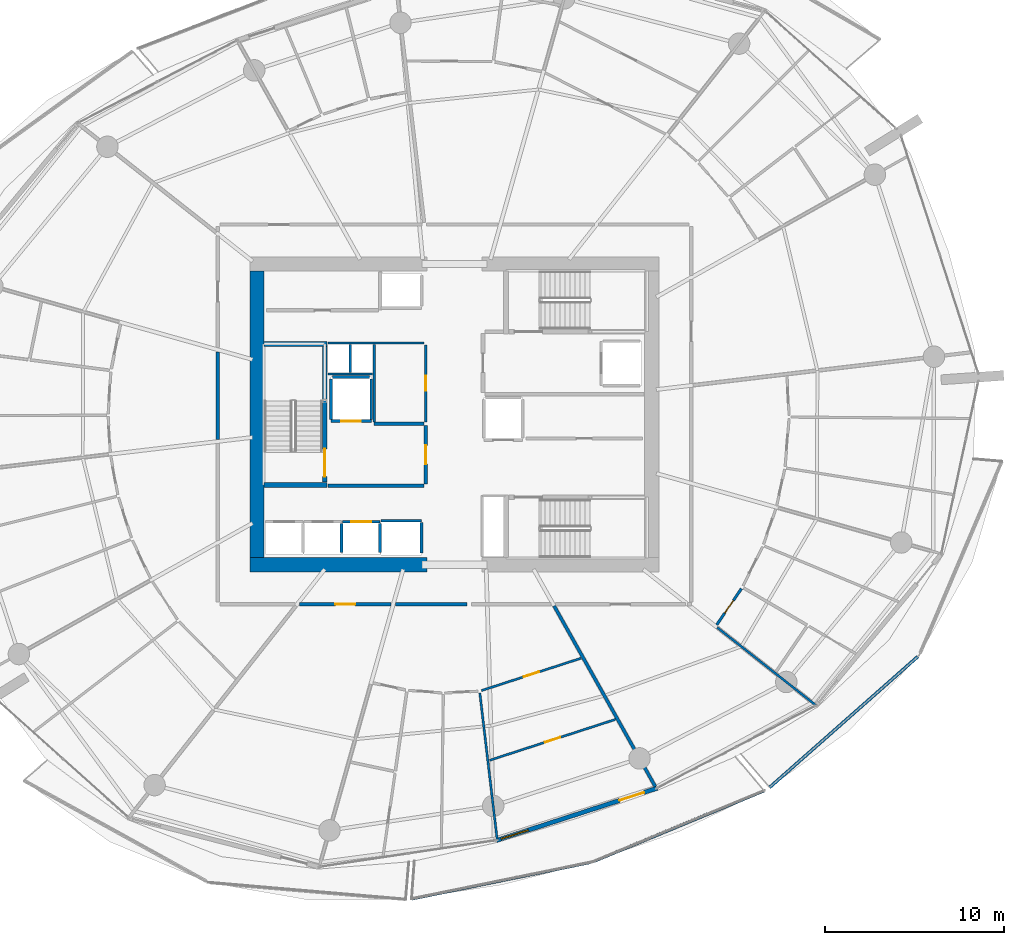
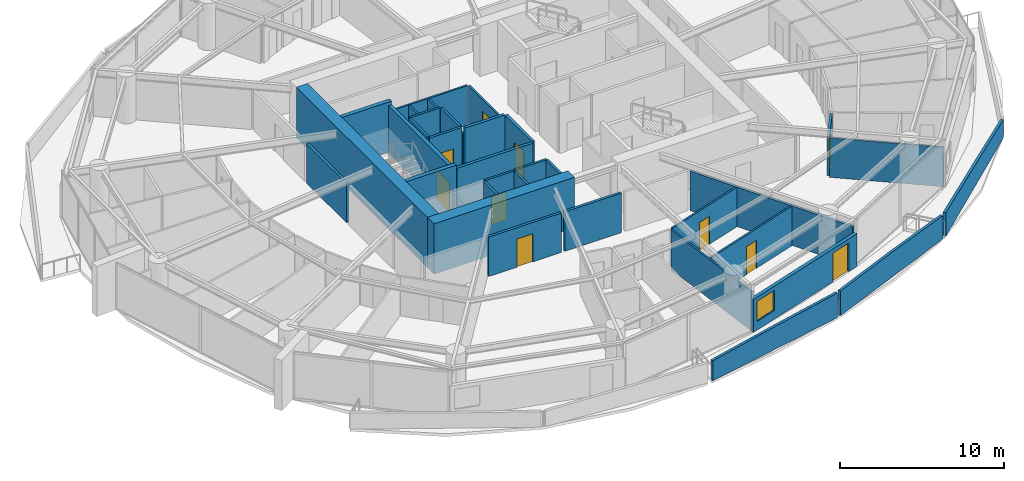
# One storey, part 12 of 23: 35 walls, 10 doors, 1 window, 11 openings.
"""IFC4 building model written with IfcOpenShell, lengths in metres."""

import ifcopenshell
import ifcopenshell.guid

model = None  # the IFC model being written
_history = None  # IfcOwnerHistory: only IFC2X3 demands one
_inside = {}  # id of a spatial element -> (the spatial element, [elements in it])
_under = {}  # id of a project, library or spatial element -> (it, [spatial elements below it])
_declared = {}  # id of a project -> (the project, [libraries it declares])
_typed = {}  # id of a type object -> (the type object, [elements of that type])
_made_of = {}  # id of a material, layer set ... -> (it, [elements and type objects made of it])


def new_model(schema):
    """Start an empty IFC model of exactly this schema.

    Asked for "IFC4X3", IfcOpenShell would pick the latest addendum, in which some entities
    have other attributes; the version numbers below select the first issue.
    IFC2X3 requires an IfcOwnerHistory on every rooted entity: one is made here for all.
    """
    global model, _history
    if schema == "IFC4X3":
        model = ifcopenshell.file(schema_version=(4, 3, 0, 0))
    else:
        model = ifcopenshell.file(schema=schema)
    _inside.clear()
    _under.clear()
    _declared.clear()
    _typed.clear()
    _made_of.clear()
    _history = None
    if model.schema == "IFC2X3":
        org = make("IfcOrganization", Name="unknown")
        user = make(
            "IfcPersonAndOrganization",
            ThePerson=make("IfcPerson", FamilyName="unknown"),
            TheOrganization=org,
        )
        app = make(
            "IfcApplication",
            ApplicationDeveloper=org,
            Version="unknown",
            ApplicationFullName="unknown",
            ApplicationIdentifier="unknown",
        )
        _history = make(
            "IfcOwnerHistory",
            OwningUser=user,
            OwningApplication=app,
            ChangeAction="ADDED",
            CreationDate=0,
        )
    return model


def make(cls, **values):
    """One entity of the class cls with the attributes given. An attribute that is None is left unset."""
    return model.create_entity(
        cls, **{name: value for name, value in values.items() if value is not None}
    )


def rooted(cls, **values):
    """An entity with a GlobalId (a new one), such as an element, a storey or a relation."""
    return make(cls, GlobalId=ifcopenshell.guid.new(), OwnerHistory=_history, **values)


def si_unit(unit_type, name, prefix=None):
    """IfcSIUnit, for example si_unit("LENGTHUNIT", "METRE", prefix="MILLI")."""
    return make("IfcSIUnit", UnitType=unit_type, Prefix=prefix, Name=name)


def assignment(units):
    """IfcUnitAssignment: the units of a project."""
    return None if units is None else make("IfcUnitAssignment", Units=units)


def point(xyz):
    """IfcCartesianPoint."""
    return None if xyz is None else make("IfcCartesianPoint", Coordinates=xyz)


def direction(xyz):
    """IfcDirection."""
    return None if xyz is None else make("IfcDirection", DirectionRatios=xyz)


def frame(location, z_axis=None, x_axis=None):
    """IfcAxis2Placement3D, a coordinate frame: its origin and axes. An axis left out is left unset."""
    return make(
        "IfcAxis2Placement3D",
        Location=point(location),
        Axis=direction(z_axis),
        RefDirection=direction(x_axis),
    )


def frame_2d(location, x_axis=None):
    """IfcAxis2Placement2D, a coordinate frame in the plane: its origin and x axis."""
    return make(
        "IfcAxis2Placement2D", Location=point(location), RefDirection=direction(x_axis)
    )


def origin():
    """The frame at (0, 0, 0) with its axes left unset."""
    return frame((0.0, 0.0, 0.0))


def place(relative_to, where):
    """IfcLocalPlacement: puts the frame where relative to a parent placement (None: the world)."""
    return make(
        "IfcLocalPlacement", PlacementRelTo=relative_to, RelativePlacement=where
    )


def context(
    kind, dimensions, precision=None, world=None, true_north=None, identifier=None
):
    """IfcGeometricRepresentationContext, for example the 3D "Model" context."""
    return make(
        "IfcGeometricRepresentationContext",
        ContextIdentifier=identifier,
        ContextType=kind,
        CoordinateSpaceDimension=dimensions,
        Precision=precision,
        WorldCoordinateSystem=world,
        TrueNorth=true_north,
    )


def subcontext(parent, identifier, kind, view, scale=None):
    """IfcGeometricRepresentationSubContext, for example "Body" below "Model"."""
    return make(
        "IfcGeometricRepresentationSubContext",
        ContextIdentifier=identifier,
        ContextType=kind,
        ParentContext=parent,
        TargetScale=scale,
        TargetView=view,
    )


def project(units=None, contexts=None):
    """IfcProject with its units and contexts."""
    return rooted(
        "IfcProject",
        Name="project",
        RepresentationContexts=contexts,
        UnitsInContext=assignment(units),
    )


def spatial(cls, under=None, at=None, **own):
    """A site, building, storey or space (cls), placed at a placement, below another one or the project."""
    s = rooted(cls, ObjectPlacement=at, **own)
    if under is not None:
        _under.setdefault(under.id(), (under, []))[1].append(s)
    return s


def polyline(points):
    """IfcPolyline through the points."""
    return make("IfcPolyline", Points=[point(p) for p in points])


def profile(cls, at=None, kind="AREA", **sizes):
    """A parametric profile (cls). Its sizes go by their IFC names, for example OverallWidth=200.0."""
    return make(cls, ProfileType=kind, Position=at, **sizes)


def rectangle(**sizes):
    """IfcRectangleProfileDef."""
    return profile("IfcRectangleProfileDef", **sizes)


def outline(outer, holes=None, kind="AREA"):
    """IfcArbitraryClosedProfileDef: a profile drawn as a closed curve; with holes, ...WithVoids."""
    if holes is None:
        return make("IfcArbitraryClosedProfileDef", ProfileType=kind, OuterCurve=outer)
    return make(
        "IfcArbitraryProfileDefWithVoids",
        ProfileType=kind,
        OuterCurve=outer,
        InnerCurves=holes,
    )


def extrude(swept, where, along, depth):
    """IfcExtrudedAreaSolid: the profile swept, set in the frame where, extruded along a direction by depth."""
    return make(
        "IfcExtrudedAreaSolid",
        SweptArea=swept,
        Position=where,
        ExtrudedDirection=direction(along),
        Depth=depth,
    )


def shape(context_of_items, identifier, shape_type, items):
    """IfcShapeRepresentation: the items that make up one representation, for example the "Body"."""
    return make(
        "IfcShapeRepresentation",
        ContextOfItems=context_of_items,
        RepresentationIdentifier=identifier,
        RepresentationType=shape_type,
        Items=items,
    )


def material(Name=None, Category=None):
    """IfcMaterial."""
    return make("IfcMaterial", Name=Name, Category=Category)


def layer(
    of_material, thickness, ventilated=None, Name=None, Category=None, Priority=None
):
    """IfcMaterialLayer: one layer of a wall or slab, of a material (None: an air gap)."""
    return make(
        "IfcMaterialLayer",
        Material=of_material,
        LayerThickness=thickness,
        IsVentilated=ventilated,
        Name=Name,
        Category=Category,
        Priority=Priority,
    )


def layer_set(layers, Name=None):
    """IfcMaterialLayerSet."""
    return make("IfcMaterialLayerSet", MaterialLayers=layers, LayerSetName=Name)


def made_of(thing, what):
    """Note that an element or type object is made of a material, layer set ...; save() writes the relation."""
    if what is not None:
        _made_of.setdefault(what.id(), (what, []))[1].append(thing)
    return thing


def type_object(cls, material=None, **own):
    """A type object (cls), such as IfcWallType, which elements share."""
    return made_of(rooted(cls, **own), material)


def element(
    cls,
    number,
    at=None,
    inside=None,
    cuts=None,
    type_object=None,
    material=None,
    context=None,
    identifier="Body",
    shape_type=None,
    held_by="IfcProductDefinitionShape",
    body=None,
    shapes=None,
    **own,
):
    """One element of the class cls, such as IfcWall. Its Tag is "e" and its number.

    at: its placement. inside: the storey or other place that contains it. cuts: it is an
    opening in that element (IfcRelVoidsElement). A single representation is given by context,
    identifier, shape_type and body (its items); several are given by shapes. held_by: the class
    of the entity that holds the representations. save() writes the other relations.
    """
    e = rooted(cls, Tag="e%d" % number, ObjectPlacement=at, **own)
    if body is not None:
        shapes = [shape(context, identifier, shape_type, body)]
    if shapes is not None:
        e.Representation = make(held_by, Representations=shapes)
    if inside is not None:
        _inside.setdefault(inside.id(), (inside, []))[1].append(e)
    if cuts is not None:
        rooted(
            "IfcRelVoidsElement", RelatingBuildingElement=cuts, RelatedOpeningElement=e
        )
    if type_object is not None:
        _typed.setdefault(type_object.id(), (type_object, []))[1].append(e)
    return made_of(e, material)


def fill(opening, filler):
    """IfcRelFillsElement: the door or window that sits in an opening."""
    return rooted(
        "IfcRelFillsElement",
        RelatingOpeningElement=opening,
        RelatedBuildingElement=filler,
    )


def aggregate(whole, parts):
    """IfcRelAggregates: a whole, such as a stair, and the parts it consists of."""
    return rooted("IfcRelAggregates", RelatingObject=whole, RelatedObjects=parts)


def save(model, path):
    """Write the relations noted so far, then the file.

    IfcRelAggregates (storeys below a building ...), IfcRelContainedInSpatialStructure (elements
    in a storey), IfcRelDefinesByType, IfcRelAssociatesMaterial and IfcRelDeclares: one each for
    every whole, place, type object, material and project.
    """
    for whole, parts in _under.values():
        aggregate(whole, parts)
    for where, things in _inside.values():
        rooted(
            "IfcRelContainedInSpatialStructure",
            RelatedElements=things,
            RelatingStructure=where,
        )
    for kind, things in _typed.values():
        rooted("IfcRelDefinesByType", RelatedObjects=things, RelatingType=kind)
    for what, things in _made_of.values():
        rooted("IfcRelAssociatesMaterial", RelatedObjects=things, RelatingMaterial=what)
    for by, libraries in _declared.values():
        rooted("IfcRelDeclares", RelatingContext=by, RelatedDefinitions=libraries)
    model.write(path)


model = new_model("IFC4")

# Units and contexts
model_context = context("Model", 3, precision=1e-05, world=origin(), true_north=direction((0.0, 1.0)))
body_context = subcontext(model_context, "Body", "Model", "MODEL_VIEW")
ifc_project = project(units=[si_unit("LENGTHUNIT", "METRE"), si_unit("AREAUNIT", "SQUARE_METRE"), si_unit("VOLUMEUNIT", "CUBIC_METRE"), si_unit("PLANEANGLEUNIT", "RADIAN"), si_unit("MASSUNIT", "GRAM", prefix="KILO")], contexts=[model_context])

# Site, building, storey
site_placement = place(None, origin())
site = spatial("IfcSite", under=ifc_project, at=site_placement, CompositionType="ELEMENT")
building_placement = place(site_placement, origin())
building = spatial("IfcBuilding", under=site, at=building_placement, Name="Kazma Halo Residences", CompositionType="ELEMENT")
storey_placement = place(building_placement, frame((0.0, 0.0, 101.39990234375)))
storey = spatial("IfcBuildingStorey", under=building, at=storey_placement, Name="L25", CompositionType="ELEMENT", Elevation=101.39990234375)

# Walls
ifc_material_1 = material(Name="White Concrete C50/60 Balustrade", Category="concrete")
ifc_layer_1 = layer(ifc_material_1, 0.179931640625)
ifc_layer_set_1 = layer_set([ifc_layer_1], Name="White Concrete C50/60 Balustrade")
wall_type_1 = type_object("IfcWallType", Name="WL-BAL-WAVE-180", PredefinedType="PARAPET", material=ifc_layer_set_1)
wall_1_placement = place(storey_placement, frame((46.036865234375, 14.945068359375, 0.0), z_axis=(0.0, 0.0, 1.0), x_axis=(0.979793885894, 0.200009852668, 0.0)))
element("IfcWall", 1, at=wall_1_placement, inside=storey, type_object=wall_type_1, Name="L25 white wave balustrade wall SSE.1", PredefinedType="PARAPET", context=body_context, shape_type="SweptSolid", body=[
    extrude(outline(polyline([(0.0, 0.0), (10.1728515625, 0.0), (10.1728515625, 1.83203125), (5.08642578125, 1.696044921875), (0.0, 1.4970703125), (0.0, 0.0)])), frame((0.0, 0.08984375, 0.0), z_axis=(0.0, -1.0, 0.0), x_axis=(1.0, 0.0, 0.0)), (0.0, 0.0, 1.0), 0.179931640625),
])
wall_2_placement = place(storey_placement, frame((56.232666015625, 17.0498046875, 0.0), z_axis=(0.0, 0.0, 1.0), x_axis=(0.92370541506, 0.383103518894, 0.0)))
element("IfcWall", 2, at=wall_2_placement, inside=storey, type_object=wall_type_1, Name="L25 white wave balustrade wall SSE.2", PredefinedType="PARAPET", context=body_context, shape_type="SweptSolid", body=[
    extrude(outline(polyline([(0.0, 0.0), (10.27734375, 0.0), (10.27734375, 1.756103515625), (5.138671875, 1.85302734375), (0.0, 1.83203125), (0.0, 0.0)])), frame((0.0, 0.08984375, 0.0), z_axis=(0.0, -1.0, 0.0), x_axis=(1.0, 0.0, 0.0)), (0.0, 0.0, 1.0), 0.179931640625),
])
wall_3_placement = place(storey_placement, frame((66.021728515625, 21.158203125, 0.0), z_axis=(0.0, 0.0, 1.0), x_axis=(0.749623748339, 0.661864212604, 0.0)))
element("IfcWall", 3, at=wall_3_placement, inside=storey, type_object=wall_type_1, Name="L25 white wave balustrade wall SE.1", PredefinedType="PARAPET", context=body_context, shape_type="SweptSolid", body=[
    extrude(outline(polyline([(0.0, 0.0), (11.0498046875, 0.0), (11.0498046875, 1.34814453125), (5.52490234375, 1.56201171875), (0.0, 1.7470703125), (0.0, 0.0)])), frame((0.0, 0.08984375, 0.0), z_axis=(0.0, -1.0, 0.0), x_axis=(1.0, 0.0, 0.0)), (0.0, 0.0, 1.0), 0.179931640625),
])
ifc_material_2 = material(Name="Concrete C80/95", Category="concrete")
ifc_layer_2 = layer(ifc_material_2, 0.800048828125)
ifc_layer_set_2 = layer_set([ifc_layer_2], Name="Concrete C80/95")
wall_type_2 = type_object("IfcWallType", Name="WL-CORE-800", PredefinedType="SHEAR", material=ifc_layer_set_2)
wall_4_placement = place(storey_placement, frame((37.0, 33.60009765625, 0.0), z_axis=(0.0, 0.0, 1.0), x_axis=(1.0, 0.0, 0.0)))
element("IfcWall", 4, at=wall_4_placement, inside=storey, type_object=wall_type_2, Name="L25 central core shear wall SW", PredefinedType="SHEAR", context=body_context, shape_type="SweptSolid", body=[
    extrude(rectangle(XDim=9.89990234375, YDim=0.800048828125, at=frame_2d((4.949951171875, 0.0))), origin(), (0.0, 0.0, 1.0), 3.75),
])
wall_5_placement = place(storey_placement, frame((37.39990234375, 34.0, 0.0), z_axis=(0.0, 0.0, 1.0), x_axis=(0.0, 1.0, 0.0)))
element("IfcWall", 5, at=wall_5_placement, inside=storey, type_object=wall_type_2, Name="L25 central core shear wall W", PredefinedType="SHEAR", context=body_context, shape_type="SweptSolid", body=[
    extrude(rectangle(XDim=16.0, YDim=0.800048828125, at=frame_2d((8.0, 0.0))), origin(), (0.0, 0.0, 1.0), 3.75),
])
ifc_material_3 = material(Name="Concrete C60/75", Category="concrete")
ifc_layer_3 = layer(ifc_material_3, 0.280029296875)
ifc_layer_set_3 = layer_set([ifc_layer_3], Name="Concrete C60/75")
wall_type_3 = type_object("IfcWallType", Name="WL-CORE-ST-280", PredefinedType="SHEAR", material=ifc_layer_set_3)
for number, where, z_axis, x_axis, name in (
    (6, (37.800048828125, 38.06005859375, 0.0), (0.0, 0.0, 1.0), (1.0, 0.0, 0.0), "L25 stairwell bearing wall ST01-S"),
    (7, (37.800048828125, 45.93994140625, 0.0), (0.0, 0.0, 1.0), (1.0, 0.0, 0.0), "L25 stairwell bearing wall ST01-N"),
):
    element("IfcWall", number, at=place(storey_placement, frame(where, z_axis=z_axis, x_axis=x_axis)), inside=storey, type_object=wall_type_3, Name=name, PredefinedType="SHEAR", context=body_context, shape_type="SweptSolid", body=[
        extrude(rectangle(XDim=3.5, YDim=0.280029296875, at=frame_2d((1.75, 0.0))), origin(), (0.0, 0.0, 1.0), 3.75),
    ])
ifc_material_4 = material(Name="Acoustic Twin-Stud Gypsum")
ifc_layer_4 = layer(ifc_material_4, 0.179931640625)
ifc_layer_set_4 = layer_set([ifc_layer_4], Name="Acoustic Twin-Stud Gypsum")
wall_type_4 = type_object("IfcWallType", Name="WL-DEM-180", PredefinedType="PARTITIONING", material=ifc_layer_set_4)
wall_6_placement = place(storey_placement, frame((53.989990234375, 31.303955078125, 0.0), z_axis=(0.0, 0.0, 1.0), x_axis=(0.488628442553, -0.872491974249, 0.0)))
element("IfcWall", 8, at=wall_6_placement, inside=storey, type_object=wall_type_4, Name="L25 apartment demising radial wall 12", PredefinedType="PARTITIONING", context=body_context, shape_type="SweptSolid", body=[
    extrude(rectangle(XDim=11.563232421875, YDim=0.179931640625, at=frame_2d((5.78173828125, 0.0))), origin(), (0.0, 0.0, 1.0), 2.940185546875),
])
wall_7_placement = place(storey_placement, frame((35.199951171875, 45.489990234375, 0.0), z_axis=(0.0, 0.0, 1.0), x_axis=(0.0, -1.0, 0.0)))
element("IfcWall", 9, at=wall_7_placement, inside=storey, type_object=wall_type_4, Name="L25 Apartment 1 inner wall 6", PredefinedType="PARTITIONING", context=body_context, shape_type="SweptSolid", body=[
    extrude(rectangle(XDim=4.885009765625, YDim=0.179931640625, at=frame_2d((2.4423828125, 0.0))), origin(), (0.0, 0.0, 1.0), 2.940185546875),
])

# Wall, opening, door
wall_8_placement = place(storey_placement, frame((39.763671875, 31.39990234375, 0.0), z_axis=(0.0, 0.0, 1.0), x_axis=(1.0, 0.0, 0.0)))
wall_8 = element("IfcWall", 10, at=wall_8_placement, inside=storey, type_object=wall_type_4, Name="L25 Apartment 2 entrance corridor wall", PredefinedType="PARTITIONING", context=body_context, shape_type="SweptSolid", body=[
    extrude(rectangle(XDim=5.126708984375, YDim=0.179931640625, at=frame_2d((2.5634765625, 0.0))), origin(), (0.0, 0.0, 1.0), 2.940185546875),
])
opening_1_placement = place(wall_8_placement, frame((2.013427734375, 0.0, 0.0)))
opening_1 = element("IfcOpeningElement", 11, at=opening_1_placement, cuts=wall_8, Name="Opening DA-1100", PredefinedType="OPENING", context=body_context, shape_type="SweptSolid", body=[
    extrude(rectangle(XDim=1.10009765625, YDim=2.10009765625, at=frame_2d((0.550048828125, 1.050048828125))), frame((0.0, 0.099853515625, 0.0), z_axis=(0.0, -1.0, 0.0), x_axis=(1.0, 0.0, 0.0)), (0.0, 0.0, 1.0), 0.199951171875),
])
ifc_material_5 = material(Name="Acoustic Walnut Fire Leaf")
door_type_1 = type_object("IfcDoorType", Name="DR-FD60-1100", OperationType="NOTDEFINED", PredefinedType="DOOR", material=ifc_material_5)
door_1_placement = place(opening_1_placement, origin())
door_1 = element("IfcDoor", 12, at=door_1_placement, inside=storey, type_object=door_type_1, Name="L25 Apartment 2 entrance fire door", OperationType="SINGLE_SWING_RIGHT", OverallHeight=2.10009765625, OverallWidth=1.10009765625, PredefinedType="DOOR", context=body_context, shape_type="SweptSolid", body=[
    extrude(rectangle(XDim=1.10009765625, YDim=2.10009765625, at=frame_2d((0.550048828125, 1.050048828125))), frame((0.0, 0.02490234375, 0.0), z_axis=(0.0, -1.0, 0.0), x_axis=(1.0, 0.0, 0.0)), (0.0, 0.0, 1.0), 0.050048828125),
])
fill(opening_1, door_1)

# Wall
wall_9_placement = place(storey_placement, frame((45.130615234375, 31.39990234375, 0.0), z_axis=(0.0, 0.0, 1.0), x_axis=(1.0, 0.0, 0.0)))
element("IfcWall", 13, at=wall_9_placement, inside=storey, type_object=wall_type_4, Name="L25 Apartment 2 inner wall 10", PredefinedType="PARTITIONING", context=body_context, shape_type="SweptSolid", body=[
    extrude(rectangle(XDim=4.00390625, YDim=0.179931640625, at=frame_2d((2.001953125, 0.0))), origin(), (0.0, 0.0, 1.0), 2.940185546875),
])

# Wall, openings, door, window
ifc_material_6 = material(Name="Insulated Pale-Metal Composite Wall")
ifc_layer_5 = layer(ifc_material_6, 0.239990234375)
ifc_layer_set_5 = layer_set([ifc_layer_5], Name="Insulated Pale-Metal Composite Wall")
wall_type_5 = type_object("IfcWallType", Name="WL-EXT-HOST-240", PredefinedType="SOLIDWALL", material=ifc_layer_set_5)
wall_10_placement = place(storey_placement, frame((50.76708984375, 18.202880859375, 0.0), z_axis=(0.0, 0.0, 1.0), x_axis=(0.951052494852, 0.30902937083, 0.0)))
wall_10 = element("IfcWall", 14, at=wall_10_placement, inside=storey, type_object=wall_type_5, Name="L25 exterior terrace-access wall B12", PredefinedType="SOLIDWALL", context=body_context, shape_type="SweptSolid", body=[
    extrude(rectangle(XDim=9.44384765625, YDim=0.239990234375, at=frame_2d((4.721923828125, 0.0))), origin(), (0.0, 0.0, 1.0), 2.4501953125),
])
opening_2_placement = place(wall_10_placement, frame((7.223876953125, 0.0, 0.0)))
opening_2 = element("IfcOpeningElement", 15, at=opening_2_placement, cuts=wall_10, Name="Opening DTR-1600", PredefinedType="OPENING", context=body_context, shape_type="SweptSolid", body=[
    extrude(rectangle(XDim=1.449951171875, YDim=2.14990234375, at=frame_2d((0.72509765625, 1.074951171875))), frame((0.0, 0.1298828125, 0.0), z_axis=(0.0, -1.0, 0.0), x_axis=(1.0, 0.0, 0.0)), (0.0, 0.0, 1.0), 0.260009765625),
])
opening_3_placement = place(wall_10_placement, frame((0.280029296875, 0.0, 0.64990234375)))
opening_3 = element("IfcOpeningElement", 16, at=opening_3_placement, cuts=wall_10, Name="Opening W-1800", PredefinedType="OPENING", context=body_context, shape_type="SweptSolid", body=[
    extrude(rectangle(XDim=1.60009765625, YDim=1.5, at=frame_2d((0.800048828125, 0.75))), frame((0.0, 0.1298828125, 0.0), z_axis=(0.0, -1.0, 0.0), x_axis=(1.0, 0.0, 0.0)), (0.0, 0.0, 1.0), 0.260009765625),
])
ifc_material_7 = material(Name="Aluminium AW-6063 T6 Double-Glazed Terrace Door", Category="aluminium")
door_type_2 = type_object("IfcDoorType", Name="DR-EXT-TERR-1600", OperationType="NOTDEFINED", PredefinedType="DOOR", material=ifc_material_7)
door_2_placement = place(opening_2_placement, origin())
door_2 = element("IfcDoor", 17, at=door_2_placement, inside=storey, type_object=door_type_2, Name="L25 B12 balcony terrace door", OperationType="DOUBLE_DOOR_SLIDING", OverallHeight=2.14990234375, OverallWidth=1.449951171875, PredefinedType="DOOR", context=body_context, shape_type="SweptSolid", body=[
    extrude(rectangle(XDim=1.449951171875, YDim=2.14990234375, at=frame_2d((0.72509765625, 1.074951171875))), frame((0.0, 0.02490234375, 0.0), z_axis=(0.0, -1.0, 0.0), x_axis=(1.0, 0.0, 0.0)), (0.0, 0.0, 1.0), 0.050048828125),
])
fill(opening_2, door_2)
ifc_material_8 = material(Name="Clear Triple-Silver Low-E Glass in Aluminium AW-6063 T6 Frame", Category="aluminium")
window_type = type_object("IfcWindowType", Name="WIN-RES-1800", PartitioningType="DOUBLE_PANEL_VERTICAL", PredefinedType="WINDOW", material=ifc_material_8)
window_placement = place(opening_3_placement, origin())
window = element("IfcWindow", 18, at=window_placement, inside=storey, type_object=window_type, Name="L25 B12 apartment window", OverallHeight=1.5, OverallWidth=1.60009765625, PartitioningType="SINGLE_PANEL", PredefinedType="WINDOW", context=body_context, shape_type="SweptSolid", body=[
    extrude(rectangle(XDim=1.60009765625, YDim=1.5, at=frame_2d((0.800048828125, 0.75))), frame((0.0, 0.030029296875, 0.0), z_axis=(0.0, -1.0, 0.0), x_axis=(1.0, 0.0, 0.0)), (0.0, 0.0, 1.0), 0.06005859375),
])
fill(opening_3, window)

# Wall
ifc_material_9 = material(Name="Fire-Rated Blockwork Masonry", Category="masonry")
ifc_layer_6 = layer(ifc_material_9, 0.199951171875)
ifc_layer_set_6 = layer_set([ifc_layer_6], Name="Fire-Rated Blockwork Masonry")
wall_type_6 = type_object("IfcWallType", Name="WL-FLB-200", PredefinedType="PARTITIONING", material=ifc_layer_set_6)
wall_11_placement = place(storey_placement, frame((42.125, 34.294921875, 0.0), z_axis=(0.0, 0.0, 1.0), x_axis=(0.0, 1.0, 0.0)))
element("IfcWall", 19, at=wall_11_placement, inside=storey, type_object=wall_type_6, Name="L25 lift shaft PL-02 side wall E", PredefinedType="PARTITIONING", context=body_context, shape_type="SweptSolid", body=[
    extrude(rectangle(XDim=1.610107421875, YDim=0.159912109375, at=frame_2d((0.80517578125, 0.0))), origin(), (0.0, 0.0, 1.0), 3.5),
])

# Wall, opening, door
wall_12_placement = place(storey_placement, frame((42.1650390625, 36.0048828125, 0.0), z_axis=(0.0, 0.0, 1.0), x_axis=(1.0, 0.0, 0.0)))
wall_12 = element("IfcWall", 20, at=wall_12_placement, inside=storey, type_object=wall_type_6, Name="L25 lift shaft PL-03 front wall", PredefinedType="PARTITIONING", context=body_context, shape_type="SweptSolid", body=[
    extrude(rectangle(XDim=2.10986328125, YDim=0.159912109375, at=frame_2d((1.054931640625, 0.0))), origin(), (0.0, 0.0, 1.0), 3.5),
])
opening_4_placement = place(wall_12_placement, frame((0.5048828125, 0.0, 0.0)))
opening_4 = element("IfcOpeningElement", 21, at=opening_4_placement, cuts=wall_12, Name="Opening LD-PL-03", PredefinedType="OPENING", context=body_context, shape_type="SweptSolid", body=[
    extrude(rectangle(XDim=1.10009765625, YDim=2.10009765625, at=frame_2d((0.550048828125, 1.050048828125))), frame((0.0, 0.08984375, 0.0), z_axis=(0.0, -1.0, 0.0), x_axis=(1.0, 0.0, 0.0)), (0.0, 0.0, 1.0), 0.179931640625),
])
ifc_material_10 = material(Name="Stainless Steel Fire-Rated", Category="steel")
door_type_3 = type_object("IfcDoorType", Name="DR-LIFT-SLD-1100", OperationType="DOUBLE_DOOR_SLIDING", PredefinedType="DOOR", material=ifc_material_10)
door_3_placement = place(opening_4_placement, origin())
door_3 = element("IfcDoor", 22, at=door_3_placement, inside=storey, type_object=door_type_3, Name="L25 lift PL-03 sliding landing door", OperationType="DOUBLE_DOOR_SLIDING", OverallHeight=2.10009765625, OverallWidth=1.10009765625, PredefinedType="DOOR", context=body_context, shape_type="SweptSolid", body=[
    extrude(rectangle(XDim=1.10009765625, YDim=2.10009765625, at=frame_2d((0.550048828125, 1.050048828125))), frame((0.0, 0.02490234375, 0.0), z_axis=(0.0, -1.0, 0.0), x_axis=(1.0, 0.0, 0.0)), (0.0, 0.0, 1.0), 0.050048828125),
])
fill(opening_4, door_3)

# Walls
wall_13_placement = place(storey_placement, frame((44.27490234375, 34.294921875, 0.0), z_axis=(0.0, 0.0, 1.0), x_axis=(0.0, 1.0, 0.0)))
element("IfcWall", 23, at=wall_13_placement, inside=storey, type_object=wall_type_6, Name="L25 lift shaft PL-03 side wall E", PredefinedType="PARTITIONING", context=body_context, shape_type="SweptSolid", body=[
    extrude(rectangle(XDim=1.610107421875, YDim=0.159912109375, at=frame_2d((0.80517578125, 0.0))), origin(), (0.0, 0.0, 1.0), 3.5),
])
wall_14_placement = place(storey_placement, frame((44.320068359375, 36.054931640625, 0.0), z_axis=(0.0, 0.0, 1.0), x_axis=(1.0, 0.0, 0.0)))
element("IfcWall", 24, at=wall_14_placement, inside=storey, type_object=wall_type_6, Name="L25 lift shaft PX-02 front wall", PredefinedType="PARTITIONING", context=body_context, shape_type="SweptSolid", body=[
    extrude(rectangle(XDim=2.260009765625, YDim=0.159912109375, at=frame_2d((1.1298828125, 0.0))), origin(), (0.0, 0.0, 1.0), 3.5),
])
wall_15_placement = place(storey_placement, frame((46.580078125, 34.2451171875, 0.0), z_axis=(0.0, 0.0, 1.0), x_axis=(0.0, 1.0, 0.0)))
element("IfcWall", 25, at=wall_15_placement, inside=storey, type_object=wall_type_6, Name="L25 lift shaft PX-02 side wall E", PredefinedType="PARTITIONING", context=body_context, shape_type="SweptSolid", body=[
    extrude(rectangle(XDim=1.7099609375, YDim=0.159912109375, at=frame_2d((0.85498046875, 0.0))), origin(), (0.0, 0.0, 1.0), 3.5),
])

# Wall, opening, door
wall_16_placement = place(storey_placement, frame((43.780029296875, 41.6201171875, 0.0), z_axis=(0.0, 0.0, 1.0), x_axis=(-1.0, 0.0, 0.0)))
wall_16 = element("IfcWall", 26, at=wall_16_placement, inside=storey, type_object=wall_type_6, Name="L25 lift shaft FL-01 front wall", PredefinedType="PARTITIONING", context=body_context, shape_type="SweptSolid", body=[
    extrude(rectangle(XDim=2.260009765625, YDim=0.159912109375, at=frame_2d((1.1298828125, 0.0))), origin(), (0.0, 0.0, 1.0), 3.5),
])
opening_5_placement = place(wall_16_placement, frame((0.580078125, 0.0, 0.0)))
opening_5 = element("IfcOpeningElement", 27, at=opening_5_placement, cuts=wall_16, Name="Opening LD-FL-01", PredefinedType="OPENING", context=body_context, shape_type="SweptSolid", body=[
    extrude(rectangle(XDim=1.10009765625, YDim=2.10009765625, at=frame_2d((0.550048828125, 1.050048828125))), frame((0.0, 0.08984375, 0.0), z_axis=(0.0, -1.0, 0.0), x_axis=(1.0, 0.0, 0.0)), (0.0, 0.0, 1.0), 0.179931640625),
])
door_4_placement = place(opening_5_placement, origin())
door_4 = element("IfcDoor", 28, at=door_4_placement, inside=storey, type_object=door_type_3, Name="L25 lift FL-01 sliding landing door", OperationType="DOUBLE_DOOR_SLIDING", OverallHeight=2.10009765625, OverallWidth=1.10009765625, PredefinedType="DOOR", context=body_context, shape_type="SweptSolid", body=[
    extrude(rectangle(XDim=1.10009765625, YDim=2.10009765625, at=frame_2d((0.550048828125, 1.050048828125))), frame((0.0, 0.02490234375, 0.0), z_axis=(0.0, -1.0, 0.0), x_axis=(1.0, 0.0, 0.0)), (0.0, 0.0, 1.0), 0.050048828125),
])
fill(opening_5, door_4)

# Walls
for number, where, z_axis, x_axis, name in (
    (29, (43.780029296875, 41.719970703125, 0.0), (0.0, 0.0, 1.0), (0.0, 1.0, 0.0), "L25 lift shaft FL-01 side wall E"),
    (30, (41.52001953125, 41.719970703125, 0.0), (0.0, 0.0, 1.0), (0.0, 1.0, 0.0), "L25 lift shaft FL-01 side wall W"),
):
    element("IfcWall", number, at=place(storey_placement, frame(where, z_axis=z_axis, x_axis=x_axis)), inside=storey, type_object=wall_type_6, Name=name, PredefinedType="PARTITIONING", context=body_context, shape_type="SweptSolid", body=[
        extrude(rectangle(XDim=2.260009765625, YDim=0.159912109375, at=frame_2d((1.1298828125, 0.0))), origin(), (0.0, 0.0, 1.0), 3.5),
    ])
wall_17_placement = place(storey_placement, frame((41.6201171875, 44.080078125, 0.0), z_axis=(0.0, 0.0, 1.0), x_axis=(1.0, 0.0, 0.0)))
element("IfcWall", 31, at=wall_17_placement, inside=storey, type_object=wall_type_6, Name="L25 lift shaft FL-01 side wall N", PredefinedType="PARTITIONING", context=body_context, shape_type="SweptSolid", body=[
    extrude(rectangle(XDim=2.059814453125, YDim=0.159912109375, at=frame_2d((1.02978515625, 0.0))), origin(), (0.0, 0.0, 1.0), 3.5),
])
wall_18_placement = place(storey_placement, frame((41.35009765625, 38.02001953125, 0.0), z_axis=(0.0, 0.0, 1.0), x_axis=(1.0, 0.0, 0.0)))
element("IfcWall", 32, at=wall_18_placement, inside=storey, type_object=wall_type_6, Name="L25 west firefighting lobby south smoke wall", PredefinedType="PARTITIONING", context=body_context, shape_type="SweptSolid", body=[
    extrude(rectangle(XDim=5.369873046875, YDim=0.199951171875, at=frame_2d((2.68505859375, 0.0))), origin(), (0.0, 0.0, 1.0), 3.5),
])
wall_19_placement = place(storey_placement, frame((43.919921875, 41.47998046875, 0.0), z_axis=(0.0, 0.0, 1.0), x_axis=(1.0, 0.0, 0.0)))
element("IfcWall", 33, at=wall_19_placement, inside=storey, type_object=wall_type_6, Name="L25 west firefighting lobby north smoke wall", PredefinedType="PARTITIONING", context=body_context, shape_type="SweptSolid", body=[
    extrude(rectangle(XDim=2.800048828125, YDim=0.199951171875, at=frame_2d((1.39990234375, 0.0))), origin(), (0.0, 0.0, 1.0), 3.5),
])

# Wall, opening, door
wall_20_placement = place(storey_placement, frame((46.820068359375, 38.1201171875, 0.0), z_axis=(0.0, 0.0, 1.0), x_axis=(0.0, 1.0, 0.0)))
wall_20 = element("IfcWall", 34, at=wall_20_placement, inside=storey, type_object=wall_type_6, Name="L25 west firefighting lobby smoke wall", PredefinedType="PARTITIONING", context=body_context, shape_type="SweptSolid", body=[
    extrude(rectangle(XDim=3.259765625, YDim=0.199951171875, at=frame_2d((1.6298828125, 0.0))), origin(), (0.0, 0.0, 1.0), 3.5),
])
opening_6_placement = place(wall_20_placement, frame((1.10498046875, 0.0, 0.0)))
opening_6 = element("IfcOpeningElement", 35, at=opening_6_placement, cuts=wall_20, Name="Opening D-FLW", PredefinedType="OPENING", context=body_context, shape_type="SweptSolid", body=[
    extrude(rectangle(XDim=1.050048828125, YDim=2.10009765625, at=frame_2d((0.52490234375, 1.050048828125))), frame((0.0, 0.10986328125, 0.0), z_axis=(0.0, -1.0, 0.0), x_axis=(1.0, 0.0, 0.0)), (0.0, 0.0, 1.0), 0.219970703125),
])
ifc_material_11 = material(Name="Fire-Rated Steel Leaf", Category="steel")
door_type_4 = type_object("IfcDoorType", Name="DR-FD90-1050", OperationType="NOTDEFINED", PredefinedType="DOOR", material=ifc_material_11)
door_5_placement = place(opening_6_placement, origin())
door_5 = element("IfcDoor", 36, at=door_5_placement, inside=storey, type_object=door_type_4, Name="L25 west firefighting lobby smoke door", OperationType="SINGLE_SWING_RIGHT", OverallHeight=2.10009765625, OverallWidth=1.050048828125, PredefinedType="DOOR", context=body_context, shape_type="SweptSolid", body=[
    extrude(rectangle(XDim=1.050048828125, YDim=2.10009765625, at=frame_2d((0.52490234375, 1.050048828125))), frame((0.0, 0.02490234375, 0.0), z_axis=(0.0, -1.0, 0.0), x_axis=(1.0, 0.0, 0.0)), (0.0, 0.0, 1.0), 0.050048828125),
])
fill(opening_6, door_5)

# Walls
ifc_material_12 = material(Name="Gypsum Plasterboard Partition")
ifc_layer_7 = layer(ifc_material_12, 0.125)
ifc_layer_set_7 = layer_set([ifc_layer_7], Name="Gypsum Plasterboard Partition")
wall_type_7 = type_object("IfcWallType", Name="WL-PART-125", PredefinedType="PARTITIONING", material=ifc_layer_set_7)
wall_21_placement = place(storey_placement, frame((41.360107421875, 45.97998046875, 0.0), z_axis=(0.0, 0.0, 1.0), x_axis=(1.0, 0.0, 0.0)))
element("IfcWall", 37, at=wall_21_placement, inside=storey, type_object=wall_type_7, Name="L25 core north riser wall", PredefinedType="PARTITIONING", context=body_context, shape_type="SweptSolid", body=[
    extrude(rectangle(XDim=5.35986328125, YDim=0.125, at=frame_2d((2.679931640625, 0.0))), origin(), (0.0, 0.0, 1.0), 2.940185546875),
])
wall_22_placement = place(storey_placement, frame((41.360107421875, 44.260009765625, 0.0), z_axis=(0.0, 0.0, 1.0), x_axis=(1.0, 0.0, 0.0)))
element("IfcWall", 38, at=wall_22_placement, inside=storey, type_object=wall_type_7, Name="L25 core riser south wall", PredefinedType="PARTITIONING", context=body_context, shape_type="SweptSolid", body=[
    extrude(rectangle(XDim=2.5, YDim=0.125, at=frame_2d((1.25, 0.0))), origin(), (0.0, 0.0, 1.0), 2.940185546875),
])
wall_23_placement = place(storey_placement, frame((42.60009765625, 44.35009765625, 0.0), z_axis=(0.0, 0.0, 1.0), x_axis=(0.0, 1.0, 0.0)))
element("IfcWall", 39, at=wall_23_placement, inside=storey, type_object=wall_type_7, Name="L25 core riser divider wall", PredefinedType="PARTITIONING", context=body_context, shape_type="SweptSolid", body=[
    extrude(rectangle(XDim=1.5498046875, YDim=0.125, at=frame_2d((0.77490234375, 0.0))), origin(), (0.0, 0.0, 1.0), 2.940185546875),
])
wall_24_placement = place(storey_placement, frame((43.949951171875, 41.580078125, 0.0), z_axis=(0.0, 0.0, 1.0), x_axis=(0.0, 1.0, 0.0)))
element("IfcWall", 40, at=wall_24_placement, inside=storey, type_object=wall_type_7, Name="L25 core service west wall", PredefinedType="PARTITIONING", context=body_context, shape_type="SweptSolid", body=[
    extrude(rectangle(XDim=4.31982421875, YDim=0.125, at=frame_2d((2.159912109375, 0.0))), origin(), (0.0, 0.0, 1.0), 2.940185546875),
])

# Wall, opening, door
wall_25_placement = place(storey_placement, frame((46.820068359375, 41.580078125, 0.0), z_axis=(0.0, 0.0, 1.0), x_axis=(0.0, 1.0, 0.0)))
wall_25 = element("IfcWall", 41, at=wall_25_placement, inside=storey, type_object=wall_type_7, Name="L25 core service room east wall", PredefinedType="PARTITIONING", context=body_context, shape_type="SweptSolid", body=[
    extrude(rectangle(XDim=4.2998046875, YDim=0.125, at=frame_2d((2.14990234375, 0.0))), origin(), (0.0, 0.0, 1.0), 2.940185546875),
])
opening_7_placement = place(wall_25_placement, frame((1.72509765625, 0.0, 0.0)))
opening_7 = element("IfcOpeningElement", 42, at=opening_7_placement, cuts=wall_25, Name="Opening DS-850", PredefinedType="OPENING", context=body_context, shape_type="SweptSolid", body=[
    extrude(rectangle(XDim=0.85009765625, YDim=2.06005859375, at=frame_2d((0.425048828125, 1.030029296875))), frame((0.0, 0.072509765625, 0.0), z_axis=(0.0, -1.0, 0.0), x_axis=(1.0, 0.0, 0.0)), (0.0, 0.0, 1.0), 0.14501953125),
])
ifc_material_13 = material(Name="Painted Steel Access Leaf", Category="steel")
door_type_5 = type_object("IfcDoorType", Name="DR-SVC-850", OperationType="NOTDEFINED", PredefinedType="DOOR", material=ifc_material_13)
door_6_placement = place(opening_7_placement, origin())
door_6 = element("IfcDoor", 43, at=door_6_placement, inside=storey, type_object=door_type_5, Name="L25 core service room door", OperationType="SINGLE_SWING_RIGHT", OverallHeight=2.06005859375, OverallWidth=0.85009765625, PredefinedType="DOOR", context=body_context, shape_type="SweptSolid", body=[
    extrude(rectangle(XDim=0.85009765625, YDim=2.06005859375, at=frame_2d((0.425048828125, 1.030029296875))), frame((0.0, 0.02490234375, 0.0), z_axis=(0.0, -1.0, 0.0), x_axis=(1.0, 0.0, 0.0)), (0.0, 0.0, 1.0), 0.050048828125),
])
fill(opening_7, door_6)

# Wall
wall_26_placement = place(storey_placement, frame((49.841552734375, 26.440673828125, 0.0), z_axis=(0.0, 0.0, 1.0), x_axis=(0.11753793763, -0.993068393021, 0.0)))
element("IfcWall", 44, at=wall_26_placement, inside=storey, type_object=wall_type_7, Name="L25 Apartment 2 radial partition 11", PredefinedType="PARTITIONING", context=body_context, shape_type="SweptSolid", body=[
    extrude(rectangle(XDim=8.25439453125, YDim=0.125, at=frame_2d((4.127197265625, 0.0))), origin(), (0.0, 0.0, 1.0), 2.940185546875),
])

# Wall, opening, door
wall_27_placement = place(storey_placement, frame((49.934326171875, 26.573974609375, 0.0), z_axis=(0.0, 0.0, 1.0), x_axis=(0.951057969744, 0.309012521082, 0.0)))
wall_27 = element("IfcWall", 45, at=wall_27_placement, inside=storey, type_object=wall_type_7, Name="L25 Apartment 2 Primary Study hall wall", PredefinedType="PARTITIONING", context=body_context, shape_type="SweptSolid", body=[
    extrude(rectangle(XDim=5.8544921875, YDim=0.125, at=frame_2d((2.92724609375, 0.0))), origin(), (0.0, 0.0, 1.0), 2.940185546875),
])
opening_8_placement = place(wall_27_placement, frame((2.477294921875, 0.0, 0.0)))
opening_8 = element("IfcOpeningElement", 46, at=opening_8_placement, cuts=wall_27, Name="Opening DI-950", PredefinedType="OPENING", context=body_context, shape_type="SweptSolid", body=[
    extrude(rectangle(XDim=0.89990234375, YDim=2.080078125, at=frame_2d((0.449951171875, 1.0400390625))), frame((0.0, 0.072509765625, 0.0), z_axis=(0.0, -1.0, 0.0), x_axis=(1.0, 0.0, 0.0)), (0.0, 0.0, 1.0), 0.14501953125),
])
ifc_material_14 = material(Name="Timber Veneer Flush Leaf", Category="wood")
door_type_6 = type_object("IfcDoorType", Name="DR-INT-950", OperationType="NOTDEFINED", PredefinedType="DOOR", material=ifc_material_14)
door_7_placement = place(opening_8_placement, origin())
door_7 = element("IfcDoor", 47, at=door_7_placement, inside=storey, type_object=door_type_6, Name="L25 Apartment 2 Primary Study door", OperationType="SINGLE_SWING_LEFT", OverallHeight=2.080078125, OverallWidth=0.89990234375, PredefinedType="DOOR", context=body_context, shape_type="SweptSolid", body=[
    extrude(rectangle(XDim=0.89990234375, YDim=2.080078125, at=frame_2d((0.449951171875, 1.0400390625))), frame((0.0, 0.02490234375, 0.0), z_axis=(0.0, -1.0, 0.0), x_axis=(1.0, 0.0, 0.0)), (0.0, 0.0, 1.0), 0.050048828125),
])
fill(opening_8, door_7)

wall_28_placement = place(storey_placement, frame((50.39501953125, 22.68212890625, 0.0), z_axis=(0.0, 0.0, 1.0), x_axis=(0.951062980527, 0.308997098808, 0.0)))
wall_28 = element("IfcWall", 48, at=wall_28_placement, inside=storey, type_object=wall_type_7, Name="L25 Apartment 2 Secondary Bedroom divider wall", PredefinedType="PARTITIONING", context=body_context, shape_type="SweptSolid", body=[
    extrude(rectangle(XDim=7.383544921875, YDim=0.125, at=frame_2d((3.69189453125, 0.0))), origin(), (0.0, 0.0, 1.0), 2.940185546875),
])
opening_9_placement = place(wall_28_placement, frame((3.24169921875, 0.0, 0.0)))
opening_9 = element("IfcOpeningElement", 49, at=opening_9_placement, cuts=wall_28, Name="Opening DI-950", PredefinedType="OPENING", context=body_context, shape_type="SweptSolid", body=[
    extrude(rectangle(XDim=0.89990234375, YDim=2.080078125, at=frame_2d((0.449951171875, 1.0400390625))), frame((0.0, 0.072509765625, 0.0), z_axis=(0.0, -1.0, 0.0), x_axis=(1.0, 0.0, 0.0)), (0.0, 0.0, 1.0), 0.14501953125),
])
door_8_placement = place(opening_9_placement, origin())
door_8 = element("IfcDoor", 50, at=door_8_placement, inside=storey, type_object=door_type_6, Name="L25 Apartment 2 Secondary Bedroom door", OperationType="SINGLE_SWING_RIGHT", OverallHeight=2.080078125, OverallWidth=0.89990234375, PredefinedType="DOOR", context=body_context, shape_type="SweptSolid", body=[
    extrude(rectangle(XDim=0.89990234375, YDim=2.080078125, at=frame_2d((0.449951171875, 1.0400390625))), frame((0.0, 0.02490234375, 0.0), z_axis=(0.0, -1.0, 0.0), x_axis=(1.0, 0.0, 0.0)), (0.0, 0.0, 1.0), 0.050048828125),
])
fill(opening_9, door_8)

# Wall
wall_29_placement = place(storey_placement, frame((63.09521484375, 30.099853515625, 0.0), z_axis=(0.0, 0.0, 1.0), x_axis=(0.78530300145, -0.6191116183, 0.0)))
element("IfcWall", 51, at=wall_29_placement, inside=storey, type_object=wall_type_7, Name="L25 Apartment 3 radial partition 13", PredefinedType="PARTITIONING", context=body_context, shape_type="SweptSolid", body=[
    extrude(rectangle(XDim=7.01611328125, YDim=0.125, at=frame_2d((3.508056640625, 0.0))), origin(), (0.0, 0.0, 1.0), 2.940185546875),
])

# Wall, opening, door
ifc_material_15 = material(Name="Concrete C50/60", Category="concrete")
ifc_layer_8 = layer(ifc_material_15, 0.25)
ifc_layer_set_8 = layer_set([ifc_layer_8], Name="Concrete C50/60")
wall_type_8 = type_object("IfcWallType", Name="WL-SHF-250", PredefinedType="SOLIDWALL", material=ifc_layer_set_8)
wall_30_placement = place(storey_placement, frame((41.179931640625, 38.219970703125, 0.0), z_axis=(0.0, 0.0, 1.0), x_axis=(0.0, 1.0, 0.0)))
wall_30 = element("IfcWall", 52, at=wall_30_placement, inside=storey, type_object=wall_type_8, Name="L25 exit stair ST-01 enclosure wall", PredefinedType="SOLIDWALL", context=body_context, shape_type="SweptSolid", body=[
    extrude(rectangle(XDim=7.56005859375, YDim=0.25, at=frame_2d((3.780029296875, 0.0))), origin(), (0.0, 0.0, 1.0), 3.5),
])
opening_10_placement = place(wall_30_placement, frame((0.300048828125, 0.0, 0.0)))
opening_10 = element("IfcOpeningElement", 53, at=opening_10_placement, cuts=wall_30, Name="Opening D-ST1", PredefinedType="OPENING", context=body_context, shape_type="SweptSolid", body=[
    extrude(rectangle(XDim=1.550048828125, YDim=2.14990234375, at=frame_2d((0.77490234375, 1.074951171875))), frame((0.0, 0.135009765625, 0.0), z_axis=(0.0, -1.0, 0.0), x_axis=(1.0, 0.0, 0.0)), (0.0, 0.0, 1.0), 0.27001953125),
])
ifc_material_16 = material(Name="Fire-Rated Double Steel Leaf", Category="steel")
door_type_7 = type_object("IfcDoorType", Name="DR-FD90-1550", OperationType="NOTDEFINED", PredefinedType="DOOR", material=ifc_material_16)
door_9_placement = place(opening_10_placement, origin())
door_9 = element("IfcDoor", 54, at=door_9_placement, inside=storey, type_object=door_type_7, Name="L25 exit stair ST-01 fire door", OperationType="DOUBLE_DOOR_SINGLE_SWING", OverallHeight=2.14990234375, OverallWidth=1.550048828125, PredefinedType="DOOR", context=body_context, shape_type="SweptSolid", body=[
    extrude(rectangle(XDim=1.550048828125, YDim=2.14990234375, at=frame_2d((0.77490234375, 1.074951171875))), frame((0.0, 0.02490234375, 0.0), z_axis=(0.0, -1.0, 0.0), x_axis=(1.0, 0.0, 0.0)), (0.0, 0.0, 1.0), 0.050048828125),
])
fill(opening_10, door_9)

ifc_material_17 = material(Name="Moisture-Resistant Gypsum")
ifc_layer_9 = layer(ifc_material_17, 0.14990234375)
ifc_layer_set_9 = layer_set([ifc_layer_9], Name="Moisture-Resistant Gypsum")
wall_type_9 = type_object("IfcWallType", Name="WL-WET-150", PredefinedType="PARTITIONING", material=ifc_layer_set_9)
wall_31_placement = place(storey_placement, frame((63.072998046875, 30.244384765625, 0.0), z_axis=(0.0, 0.0, 1.0), x_axis=(0.563472809808, 0.826134609254, 0.0)))
wall_31 = element("IfcWall", 55, at=wall_31_placement, inside=storey, type_object=wall_type_9, Name="L25 Apartment 3 Guest Bathroom hall wall", PredefinedType="PARTITIONING", context=body_context, shape_type="SweptSolid", body=[
    extrude(rectangle(XDim=2.451171875, YDim=0.14990234375, at=frame_2d((1.2255859375, 0.0))), origin(), (0.0, 0.0, 1.0), 2.940185546875),
])
opening_11_placement = place(wall_31_placement, frame((0.800537109375, 0.0, 0.0)))
opening_11 = element("IfcOpeningElement", 56, at=opening_11_placement, cuts=wall_31, Name="Opening DB-900", PredefinedType="OPENING", context=body_context, shape_type="SweptSolid", body=[
    extrude(rectangle(XDim=0.85009765625, YDim=2.06005859375, at=frame_2d((0.425048828125, 1.030029296875))), frame((0.0, 0.0849609375, 0.0), z_axis=(0.0, -1.0, 0.0), x_axis=(1.0, 0.0, 0.0)), (0.0, 0.0, 1.0), 0.169921875),
])
ifc_material_18 = material(Name="Moisture-Sealed Timber Leaf", Category="wood")
door_type_8 = type_object("IfcDoorType", Name="DR-BTH-900", OperationType="NOTDEFINED", PredefinedType="DOOR", material=ifc_material_18)
door_10_placement = place(opening_11_placement, origin())
door_10 = element("IfcDoor", 57, at=door_10_placement, inside=storey, type_object=door_type_8, Name="L25 Apartment 3 Guest Bathroom door", OperationType="SINGLE_SWING_LEFT", OverallHeight=2.06005859375, OverallWidth=0.85009765625, PredefinedType="DOOR", context=body_context, shape_type="SweptSolid", body=[
    extrude(rectangle(XDim=0.85009765625, YDim=2.06005859375, at=frame_2d((0.425048828125, 1.030029296875))), frame((0.0, 0.02490234375, 0.0), z_axis=(0.0, -1.0, 0.0), x_axis=(1.0, 0.0, 0.0)), (0.0, 0.0, 1.0), 0.050048828125),
])
fill(opening_11, door_10)

save(model, "model.ifc")
